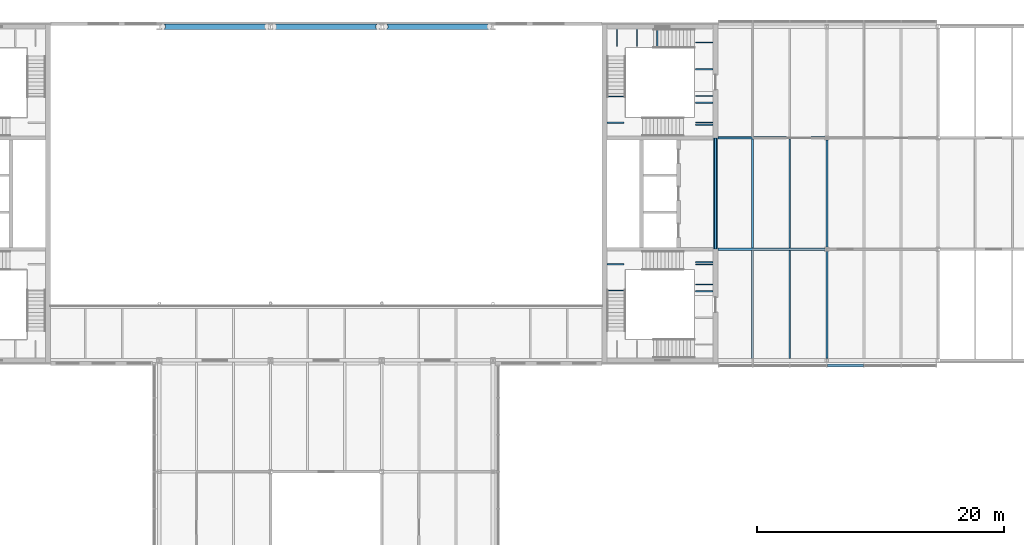
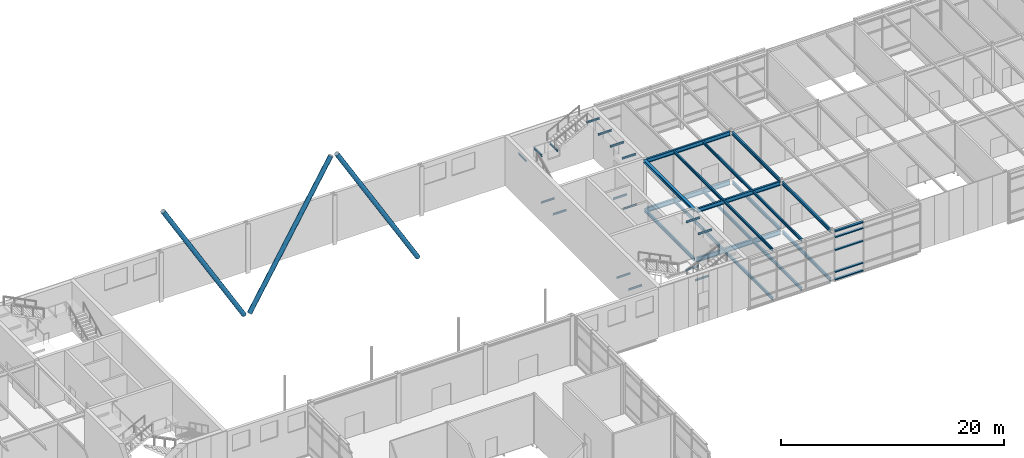
# One storey, part 24 of 46: 35 beams, 8 members, 1 element without a shape of its own.
"""IFC4 building model written with IfcOpenShell, lengths in metres."""

from ifc_helpers import new_model, si_unit, direction, frame, origin, origin_2d, place, context, subcontext, project, spatial, rectangle, hollow_circle, i_section, extrude, material, material_profile, profile_set, type_object, element, aggregate, save


model = new_model("IFC4")

# Units and contexts
model_context = context("Model", 3, precision=1e-05, world=origin(), true_north=direction((0.0, 1.0)))
body_context = subcontext(model_context, "Body", "Model", "MODEL_VIEW")
ifc_project = project(units=[si_unit("LENGTHUNIT", "METRE"), si_unit("AREAUNIT", "SQUARE_METRE"), si_unit("VOLUMEUNIT", "CUBIC_METRE"), si_unit("PLANEANGLEUNIT", "RADIAN"), si_unit("MASSUNIT", "GRAM", prefix="KILO")], contexts=[model_context])

# Site, building, storey
site_placement = place(None, origin())
site = spatial("IfcSite", under=ifc_project, at=site_placement, CompositionType="ELEMENT")
building_placement = place(site_placement, origin())
building = spatial("IfcBuilding", under=site, at=building_placement, Name="Azimuth Sports and Learning Centre", CompositionType="ELEMENT")
storey_placement = place(building_placement, frame((0.0, 0.0, 21.60009765625)))
storey = spatial("IfcBuildingStorey", under=building, at=storey_placement, Name="L04", CompositionType="ELEMENT", Elevation=21.60009765625)

# Beams
ifc_material_1 = material(Name="Steel S355", Category="steel")
ifc_material_profile_1 = material_profile(ifc_material_1, i_section(OverallWidth=0.10009765625, OverallDepth=0.199951171875, WebThickness=0.005615234375, FlangeThickness=0.008544921875, FilletRadius=0.011962890625, at=origin_2d()), Name="IPE 200")
ifc_profile_set_1 = profile_set([ifc_material_profile_1], Name="Steel S355")
beam_type_1 = type_object("IfcBeamType", Name="Beam IPE 200", PredefinedType="BEAM", material=ifc_profile_set_1)
for number, where, z_axis, x_axis, name in (
    (1, (116.800048828125, 96.1474609375, -0.300048828125), (-1.0, 0.0, 0.0), (0.0, -1.0, 0.0), "Landing bracket E1 L04 391"),
    (2, (116.800048828125, 97.9423828125, -0.300048828125), (-1.0, 0.0, 0.0), (0.0, -1.0, 0.0), "Landing bracket E1 L04 392"),
    (3, (108.199951171875, 95.652587890625, 1.5), (1.0, 0.0, 0.0), (0.0, 1.0, 0.0), "Landing bracket E1 L04 393"),
    (4, (108.199951171875, 97.777587890625, 1.5), (1.0, 0.0, 0.0), (0.0, 1.0, 0.0), "Landing bracket E1 L04 394"),
    (5, (116.800048828125, 95.603759765625, 5.099853515625), (-1.0, 0.0, 0.0), (0.0, -1.0, 0.0), "Landing bracket E1 L04 400"),
    (6, (116.800048828125, 97.76123046875, 5.099853515625), (-1.0, 0.0, 0.0), (0.0, -1.0, 0.0), "Landing bracket E1 L04 401"),
    (7, (116.800048828125, 109.0576171875, -0.300048828125), (-1.0, 0.0, 0.0), (0.0, -1.0, 0.0), "Landing bracket E2 L04 569"),
    (8, (116.800048828125, 110.8525390625, -0.300048828125), (-1.0, 0.0, 0.0), (0.0, -1.0, 0.0), "Landing bracket E2 L04 570"),
    (9, (108.199951171875, 109.222412109375, 1.5), (1.0, 0.0, 0.0), (0.0, 1.0, 0.0), "Landing bracket E2 L04 571"),
    (10, (108.199951171875, 111.347412109375, 1.5), (1.0, 0.0, 0.0), (0.0, 1.0, 0.0), "Landing bracket E2 L04 572"),
    (11, (109.0234375, 116.800048828125, 3.2998046875), (0.0, -1.0, 0.0), (1.0, 0.0, 0.0), "Landing bracket E2 L04 573"),
    (12, (110.64990234375, 116.800048828125, 3.2998046875), (0.0, -1.0, 0.0), (1.0, 0.0, 0.0), "Landing bracket E2 L04 574"),
    (13, (112.276611328125, 116.800048828125, 3.2998046875), (0.0, -1.0, 0.0), (1.0, 0.0, 0.0), "Landing bracket E2 L04 575"),
    (14, (116.800048828125, 109.23876953125, 5.099853515625), (-1.0, 0.0, 0.0), (0.0, -1.0, 0.0), "Landing bracket E2 L04 576"),
    (15, (116.800048828125, 111.396240234375, 5.099853515625), (-1.0, 0.0, 0.0), (0.0, -1.0, 0.0), "Landing bracket E2 L04 577"),
    (16, (116.800048828125, 113.5537109375, 5.099853515625), (-1.0, 0.0, 0.0), (0.0, -1.0, 0.0), "Landing bracket E2 L04 578"),
    (17, (116.800048828125, 115.711181640625, 5.099853515625), (-1.0, 0.0, 0.0), (0.0, -1.0, 0.0), "Landing bracket E2 L04 579"),
):
    element("IfcBeam", number, at=place(storey_placement, frame(where, z_axis=z_axis, x_axis=x_axis)), inside=storey, type_object=beam_type_1, Name=name, PredefinedType="BEAM", context=body_context, shape_type="SweptSolid", body=[
        extrude(i_section(OverallWidth=0.10009765625, OverallDepth=0.199951171875, WebThickness=0.005615234375, FlangeThickness=0.008544921875, FilletRadius=0.011962890625, at=origin_2d()), origin(), (0.0, 0.0, 1.0), 1.41015625),
    ])
ifc_material_2 = material(Name="Steel S355", Category="steel")
ifc_material_profile_2 = material_profile(ifc_material_2, i_section(OverallWidth=0.169921875, OverallDepth=0.360107421875, WebThickness=0.008056640625, FlangeThickness=0.0126953125, FilletRadius=0.01806640625, at=origin_2d()), Name="IPE 360")
ifc_profile_set_2 = profile_set([ifc_material_profile_2], Name="Steel S355")
beam_type_2 = type_object("IfcBeamType", Name="Beam IPE 360", PredefinedType="BEAM", material=ifc_profile_set_2)
beam_1_placement = place(storey_placement, frame((117.0, 99.0, -0.330078125), z_axis=(0.0, 1.0, 0.0), x_axis=(-1.0, 0.0, 0.0)))
element("IfcBeam", 18, at=beam_1_placement, inside=storey, type_object=beam_type_2, Name="Beam L04 WE 17", PredefinedType="BEAM", context=body_context, shape_type="SweptSolid", body=[
    extrude(i_section(OverallWidth=0.169921875, OverallDepth=0.360107421875, WebThickness=0.008056640625, FlangeThickness=0.0126953125, FilletRadius=0.01806640625, at=origin_2d()), origin(), (0.0, 0.0, 1.0), 9.0),
])
for number, where, z_axis, x_axis, name in (
    (19, (126.0, 90.179931640625, -0.330078125), (0.0, 1.0, 0.0), (-1.0, 0.0, 0.0), "Beam L04 WE 18"),
    (20, (126.0, 99.179931640625, -0.330078125), (0.0, 1.0, 0.0), (-1.0, 0.0, 0.0), "Beam L04 WE 19"),
):
    element("IfcBeam", number, at=place(storey_placement, frame(where, z_axis=z_axis, x_axis=x_axis)), inside=storey, type_object=beam_type_2, Name=name, PredefinedType="BEAM", context=body_context, shape_type="SweptSolid", body=[
        extrude(i_section(OverallWidth=0.169921875, OverallDepth=0.360107421875, WebThickness=0.008056640625, FlangeThickness=0.0126953125, FilletRadius=0.01806640625, at=origin_2d()), origin(), (0.0, 0.0, 1.0), 8.64013671875),
    ])
for number, where, z_axis, x_axis, name in (
    (21, (126.0, 90.14990234375, 5.02001953125), (0.0, 1.0, 0.0), (-1.0, 0.0, 0.0), "Beam L04 TE 79"),
    (22, (126.0, 99.14990234375, 5.02001953125), (0.0, 1.0, 0.0), (-1.0, 0.0, 0.0), "Beam L04 TE 80"),
):
    element("IfcBeam", number, at=place(storey_placement, frame(where, z_axis=z_axis, x_axis=x_axis)), inside=storey, type_object=beam_type_2, Name=name, PredefinedType="BEAM", context=body_context, shape_type="SweptSolid", body=[
        extrude(i_section(OverallWidth=0.169921875, OverallDepth=0.360107421875, WebThickness=0.008056640625, FlangeThickness=0.0126953125, FilletRadius=0.01806640625, at=origin_2d()), origin(), (0.0, 0.0, 1.0), 8.7001953125),
    ])
ifc_material_3 = material(Name="Steel S355", Category="steel")
ifc_material_profile_3 = material_profile(ifc_material_3, i_section(OverallWidth=0.18994140625, OverallDepth=0.449951171875, WebThickness=0.009521484375, FlangeThickness=0.0146484375, FilletRadius=0.02099609375, at=origin_2d()), Name="IPE 450")
ifc_profile_set_3 = profile_set([ifc_material_profile_3], Name="Steel S355")
beam_type_3 = type_object("IfcBeamType", Name="Beam IPE 450", PredefinedType="BEAM", material=ifc_profile_set_3)
for number, where, z_axis, x_axis, name in (
    (23, (117.199951171875, 99.0, 4.974853515625), (1.0, 0.0, 0.0), (0.0, 1.0, 0.0), "Beam L04 TE 66"),
    (24, (117.199951171875, 108.0, 4.974853515625), (1.0, 0.0, 0.0), (0.0, 1.0, 0.0), "Beam L04 TE 70"),
):
    element("IfcBeam", number, at=place(storey_placement, frame(where, z_axis=z_axis, x_axis=x_axis)), inside=storey, type_object=beam_type_3, Name=name, PredefinedType="BEAM", context=body_context, shape_type="SweptSolid", body=[
        extrude(i_section(OverallWidth=0.18994140625, OverallDepth=0.449951171875, WebThickness=0.009521484375, FlangeThickness=0.0146484375, FilletRadius=0.02099609375, at=origin_2d()), origin(), (0.0, 0.0, 1.0), 8.650146484375),
    ])
ifc_material_4 = material(Name="Steel S355", Category="steel")
ifc_material_profile_4 = material_profile(ifc_material_4, i_section(OverallWidth=0.199951171875, OverallDepth=0.5, WebThickness=0.01025390625, FlangeThickness=0.01611328125, FilletRadius=0.02099609375, at=origin_2d()), Name="IPE 500")
ifc_profile_set_4 = profile_set([ifc_material_profile_4], Name="Steel S355")
beam_type_4 = type_object("IfcBeamType", Name="Beam IPE 500", PredefinedType="BEAM", material=ifc_profile_set_4)
for number, where, z_axis, x_axis, name in (
    (25, (117.199951171875, 99.0, -0.400146484375), (1.0, 0.0, 0.0), (0.0, 1.0, 0.0), "Beam L04 WE 5"),
    (26, (117.199951171875, 108.0, -0.400146484375), (1.0, 0.0, 0.0), (0.0, 1.0, 0.0), "Beam L04 WE 9"),
):
    element("IfcBeam", number, at=place(storey_placement, frame(where, z_axis=z_axis, x_axis=x_axis)), inside=storey, type_object=beam_type_4, Name=name, PredefinedType="BEAM", context=body_context, shape_type="SweptSolid", body=[
        extrude(i_section(OverallWidth=0.199951171875, OverallDepth=0.5, WebThickness=0.01025390625, FlangeThickness=0.01611328125, FilletRadius=0.02099609375, at=origin_2d()), origin(), (0.0, 0.0, 1.0), 8.650146484375),
    ])

# Members
ifc_material_5 = material(Name="Steel S355", Category="steel")
ifc_material_profile_5 = material_profile(ifc_material_5, hollow_circle(Radius=0.228515625, WallThickness=0.01611328125, at=origin_2d()), Name="CHS 457x16.0")
ifc_profile_set_5 = profile_set([ifc_material_profile_5], Name="Steel S355")
member_type_1 = type_object("IfcMemberType", Name="Brace CHS 457x16.0", PredefinedType="BRACE", material=ifc_profile_set_5)
for number, where, z_axis, x_axis, name in (
    (27, (80.695556640625, 117.0, -4.550048828125), (-0.507595453826, 0.0, 0.861595528804), (0.0, -1.0, 0.0), "Hall brace 9-10 L04"),
    (28, (81.304443359375, 117.0, -4.550048828125), (0.507595453826, 0.0, 0.861595528804), (0.0, 1.0, 0.0), "Hall brace 10-11 L04"),
    (29, (98.695556640625, 117.0, -4.550048828125), (-0.507595453826, 0.0, 0.861595528804), (0.0, -1.0, 0.0), "Hall brace 11-12 L04"),
):
    element("IfcMember", number, at=place(storey_placement, frame(where, z_axis=z_axis, x_axis=x_axis)), inside=storey, type_object=member_type_1, Name=name, PredefinedType="BRACE", context=body_context, shape_type="SweptSolid", body=[
        extrude(hollow_circle(Radius=0.228515625, WallThickness=0.01611328125, at=origin_2d()), origin(), (0.0, 0.0, 1.0), 16.538818359375),
    ])

# Beams
ifc_material_6 = material(Name="Steel S355", Category="steel")
ifc_material_profile_6 = material_profile(ifc_material_6, i_section(OverallWidth=0.300048828125, OverallDepth=0.2900390625, WebThickness=0.008544921875, FlangeThickness=0.013916015625, FilletRadius=0.027099609375, at=origin_2d()), Name="HEA 300")
ifc_profile_set_6 = profile_set([ifc_material_profile_6], Name="Steel S355")
beam_type_5 = type_object("IfcBeamType", Name="Edge beam HEA 300", PredefinedType="SPANDREL", material=ifc_profile_set_6)
beam_2_placement = place(storey_placement, frame((117.0, 99.0, 5.054931640625), z_axis=(0.0, 1.0, 0.0), x_axis=(-1.0, 0.0, 0.0)))
element("IfcBeam", 30, at=beam_2_placement, inside=storey, type_object=beam_type_5, Name="Edge beam L04 TE 78", PredefinedType="SPANDREL", context=body_context, shape_type="SweptSolid", body=[
    extrude(i_section(OverallWidth=0.300048828125, OverallDepth=0.2900390625, WebThickness=0.008544921875, FlangeThickness=0.013916015625, FilletRadius=0.027099609375, at=origin_2d()), origin(), (0.0, 0.0, 1.0), 9.0),
])
ifc_material_7 = material(Name="Steel S355", Category="steel")
ifc_material_profile_7 = material_profile(ifc_material_7, i_section(OverallWidth=0.14990234375, OverallDepth=0.300048828125, WebThickness=0.007080078125, FlangeThickness=0.0107421875, FilletRadius=0.014892578125, at=origin_2d()), Name="IPE 300")
ifc_profile_set_7 = profile_set([ifc_material_profile_7], Name="Steel S355")
beam_type_6 = type_object("IfcBeamType", Name="Joist IPE 300", PredefinedType="JOIST", material=ifc_profile_set_7)
beam_3_placement = place(storey_placement, frame((120.0, 90.14990234375, 5.0498046875), z_axis=(0.0, 1.0, 0.0), x_axis=(-1.0, 0.0, 0.0)))
element("IfcBeam", 31, at=beam_3_placement, inside=storey, type_object=beam_type_6, Name="Joist L04 TE 88", PredefinedType="JOIST", context=body_context, shape_type="SweptSolid", body=[
    extrude(i_section(OverallWidth=0.14990234375, OverallDepth=0.300048828125, WebThickness=0.007080078125, FlangeThickness=0.0107421875, FilletRadius=0.014892578125, at=origin_2d()), origin(), (0.0, 0.0, 1.0), 8.755126953125),
])
beam_4_placement = place(storey_placement, frame((120.0, 99.094970703125, 5.0498046875), z_axis=(0.0, 1.0, 0.0), x_axis=(-1.0, 0.0, 0.0)))
element("IfcBeam", 32, at=beam_4_placement, inside=storey, type_object=beam_type_6, Name="Joist L04 TE 89", PredefinedType="JOIST", context=body_context, shape_type="SweptSolid", body=[
    extrude(i_section(OverallWidth=0.14990234375, OverallDepth=0.300048828125, WebThickness=0.007080078125, FlangeThickness=0.0107421875, FilletRadius=0.014892578125, at=origin_2d()), origin(), (0.0, 0.0, 1.0), 8.81005859375),
])
beam_5_placement = place(storey_placement, frame((123.0, 90.14990234375, 5.0498046875), z_axis=(0.0, 1.0, 0.0), x_axis=(-1.0, 0.0, 0.0)))
element("IfcBeam", 33, at=beam_5_placement, inside=storey, type_object=beam_type_6, Name="Joist L04 TE 91", PredefinedType="JOIST", context=body_context, shape_type="SweptSolid", body=[
    extrude(i_section(OverallWidth=0.14990234375, OverallDepth=0.300048828125, WebThickness=0.007080078125, FlangeThickness=0.0107421875, FilletRadius=0.014892578125, at=origin_2d()), origin(), (0.0, 0.0, 1.0), 8.755126953125),
])
beam_6_placement = place(storey_placement, frame((123.0, 99.094970703125, 5.0498046875), z_axis=(0.0, 1.0, 0.0), x_axis=(-1.0, 0.0, 0.0)))
element("IfcBeam", 34, at=beam_6_placement, inside=storey, type_object=beam_type_6, Name="Joist L04 TE 92", PredefinedType="JOIST", context=body_context, shape_type="SweptSolid", body=[
    extrude(i_section(OverallWidth=0.14990234375, OverallDepth=0.300048828125, WebThickness=0.007080078125, FlangeThickness=0.0107421875, FilletRadius=0.014892578125, at=origin_2d()), origin(), (0.0, 0.0, 1.0), 8.81005859375),
])
ifc_material_8 = material(Name="Steel S355", Category="steel")
ifc_material_profile_8 = material_profile(ifc_material_8, i_section(OverallWidth=0.159912109375, OverallDepth=0.330078125, WebThickness=0.007568359375, FlangeThickness=0.011474609375, FilletRadius=0.01806640625, at=origin_2d()), Name="IPE 330")
ifc_profile_set_8 = profile_set([ifc_material_profile_8], Name="Steel S355")
beam_type_7 = type_object("IfcBeamType", Name="Joist IPE 330", PredefinedType="JOIST", material=ifc_profile_set_8)
beam_7_placement = place(storey_placement, frame((120.0, 90.14990234375, -0.315185546875), z_axis=(0.0, 1.0, 0.0), x_axis=(-1.0, 0.0, 0.0)))
element("IfcBeam", 35, at=beam_7_placement, inside=storey, type_object=beam_type_7, Name="Joist L04 WE 27", PredefinedType="JOIST", context=body_context, shape_type="SweptSolid", body=[
    extrude(i_section(OverallWidth=0.159912109375, OverallDepth=0.330078125, WebThickness=0.007568359375, FlangeThickness=0.011474609375, FilletRadius=0.01806640625, at=origin_2d()), origin(), (0.0, 0.0, 1.0), 8.75),
])
beam_8_placement = place(storey_placement, frame((120.0, 99.10009765625, -0.315185546875), z_axis=(0.0, 1.0, 0.0), x_axis=(-1.0, 0.0, 0.0)))
element("IfcBeam", 36, at=beam_8_placement, inside=storey, type_object=beam_type_7, Name="Joist L04 WE 28", PredefinedType="JOIST", context=body_context, shape_type="SweptSolid", body=[
    extrude(i_section(OverallWidth=0.159912109375, OverallDepth=0.330078125, WebThickness=0.007568359375, FlangeThickness=0.011474609375, FilletRadius=0.01806640625, at=origin_2d()), origin(), (0.0, 0.0, 1.0), 8.7998046875),
])
beam_9_placement = place(storey_placement, frame((123.0, 90.14990234375, -0.315185546875), z_axis=(0.0, 1.0, 0.0), x_axis=(-1.0, 0.0, 0.0)))
element("IfcBeam", 37, at=beam_9_placement, inside=storey, type_object=beam_type_7, Name="Joist L04 WE 30", PredefinedType="JOIST", context=body_context, shape_type="SweptSolid", body=[
    extrude(i_section(OverallWidth=0.159912109375, OverallDepth=0.330078125, WebThickness=0.007568359375, FlangeThickness=0.011474609375, FilletRadius=0.01806640625, at=origin_2d()), origin(), (0.0, 0.0, 1.0), 8.75),
])
beam_10_placement = place(storey_placement, frame((123.0, 99.10009765625, -0.315185546875), z_axis=(0.0, 1.0, 0.0), x_axis=(-1.0, 0.0, 0.0)))
element("IfcBeam", 38, at=beam_10_placement, inside=storey, type_object=beam_type_7, Name="Joist L04 WE 31", PredefinedType="JOIST", context=body_context, shape_type="SweptSolid", body=[
    extrude(i_section(OverallWidth=0.159912109375, OverallDepth=0.330078125, WebThickness=0.007568359375, FlangeThickness=0.011474609375, FilletRadius=0.01806640625, at=origin_2d()), origin(), (0.0, 0.0, 1.0), 8.7998046875),
])

# Curtain wall, members
ifc_material_9 = material(Name="Aluminium and glass", Category="aluminium")
curtain_wall_type = type_object("IfcCurtainWallType", Name="Curtain wall podium wing 240", PredefinedType="NOTDEFINED", material=ifc_material_9)
curtain_wall_placement = place(storey_placement, origin())
curtain_wall = element("IfcCurtainWall", 39, at=curtain_wall_placement, inside=storey, type_object=curtain_wall_type, Name="Curtain wall CW04-009", PredefinedType="NOTDEFINED")
ifc_material_10 = material(Name="Aluminium", Category="aluminium")
ifc_material_profile_9 = material_profile(ifc_material_10, rectangle(XDim=0.239990234375, YDim=0.1201171875, at=origin_2d()), Name="Transom 120x240")
ifc_profile_set_9 = profile_set([ifc_material_profile_9], Name="Aluminium")
member_type_2 = type_object("IfcMemberType", Name="Transom 120x240", PredefinedType="USERDEFINED", material=ifc_profile_set_9)
member_1_placement = place(storey_placement, frame((126.0400390625, 89.580078125, 0.059814453125), z_axis=(1.0, 0.0, 0.0), x_axis=(0.0, 1.0, 0.0)))
member_1 = element("IfcMember", 40, at=member_1_placement, type_object=member_type_2, Name="CW04-009 transom 4.1", ObjectType="TRANSOM", PredefinedType="USERDEFINED", context=body_context, shape_type="SweptSolid", body=[
    extrude(rectangle(XDim=0.239990234375, YDim=0.1201171875, at=origin_2d()), origin(), (0.0, 0.0, 1.0), 2.919921875),
])
member_2_placement = place(storey_placement, frame((126.0400390625, 89.580078125, 0.89990234375), z_axis=(1.0, 0.0, 0.0), x_axis=(0.0, 1.0, 0.0)))
member_2 = element("IfcMember", 41, at=member_2_placement, type_object=member_type_2, Name="CW04-009 transom 4.2", ObjectType="TRANSOM", PredefinedType="USERDEFINED", context=body_context, shape_type="SweptSolid", body=[
    extrude(rectangle(XDim=0.239990234375, YDim=0.1201171875, at=origin_2d()), origin(), (0.0, 0.0, 1.0), 2.919921875),
])
member_3_placement = place(storey_placement, frame((126.0400390625, 89.580078125, 3.2998046875), z_axis=(1.0, 0.0, 0.0), x_axis=(0.0, 1.0, 0.0)))
member_3 = element("IfcMember", 42, at=member_3_placement, type_object=member_type_2, Name="CW04-009 transom 4.3", ObjectType="TRANSOM", PredefinedType="USERDEFINED", context=body_context, shape_type="SweptSolid", body=[
    extrude(rectangle(XDim=0.239990234375, YDim=0.1201171875, at=origin_2d()), origin(), (0.0, 0.0, 1.0), 2.919921875),
])
member_4_placement = place(storey_placement, frame((126.0400390625, 89.580078125, 4.699951171875), z_axis=(1.0, 0.0, 0.0), x_axis=(0.0, 1.0, 0.0)))
member_4 = element("IfcMember", 43, at=member_4_placement, type_object=member_type_2, Name="CW04-009 transom 4.4", ObjectType="TRANSOM", PredefinedType="USERDEFINED", context=body_context, shape_type="SweptSolid", body=[
    extrude(rectangle(XDim=0.239990234375, YDim=0.1201171875, at=origin_2d()), origin(), (0.0, 0.0, 1.0), 2.919921875),
])
member_5_placement = place(storey_placement, frame((126.0400390625, 89.580078125, 5.33984375), z_axis=(1.0, 0.0, 0.0), x_axis=(0.0, 1.0, 0.0)))
member_5 = element("IfcMember", 44, at=member_5_placement, type_object=member_type_2, Name="CW04-009 transom 4.5", ObjectType="TRANSOM", PredefinedType="USERDEFINED", context=body_context, shape_type="SweptSolid", body=[
    extrude(rectangle(XDim=0.239990234375, YDim=0.1201171875, at=origin_2d()), origin(), (0.0, 0.0, 1.0), 2.919921875),
])
aggregate(curtain_wall, [member_1, member_2, member_3, member_4, member_5])

save(model, "model.ifc")
